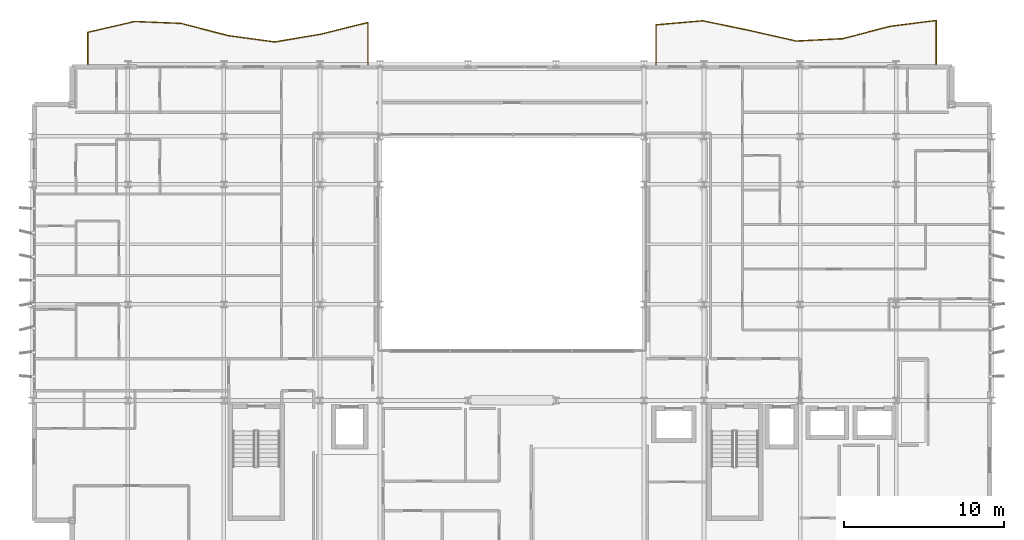
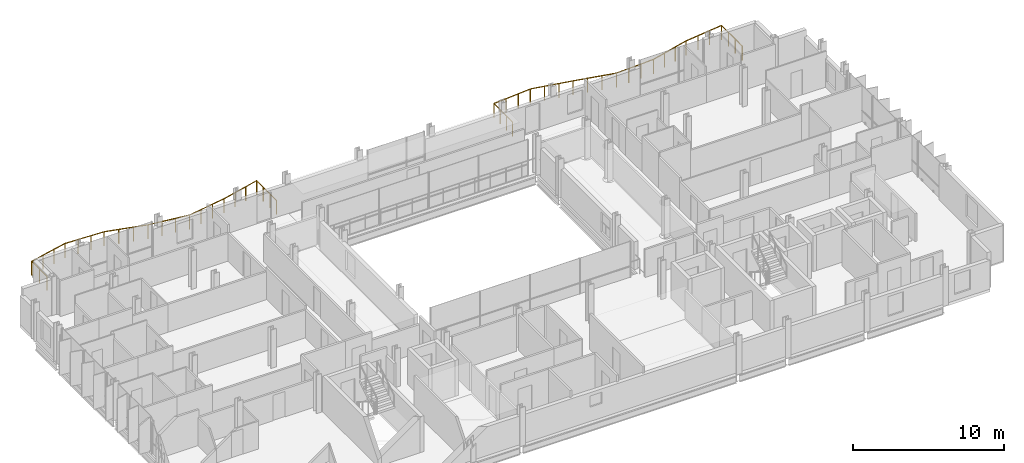
# One storey, part 40 of 40: 2 railings.
"""IFC4 building model written with IfcOpenShell, lengths in metres."""

from ifc_helpers import new_model, si_unit, direction, frame, origin, origin_2d, place, context, subcontext, project, spatial, circle, extrude, material, type_object, element, save


model = new_model("IFC4")

# Units and contexts
model_context = context("Model", 3, precision=1e-05, world=origin(), true_north=direction((0.0, 1.0)))
body_context = subcontext(model_context, "Body", "Model", "MODEL_VIEW")
ifc_project = project(units=[si_unit("LENGTHUNIT", "METRE"), si_unit("AREAUNIT", "SQUARE_METRE"), si_unit("VOLUMEUNIT", "CUBIC_METRE"), si_unit("PLANEANGLEUNIT", "RADIAN"), si_unit("MASSUNIT", "GRAM", prefix="KILO")], contexts=[model_context])

# Site, building, storey
site_placement = place(None, origin())
site = spatial("IfcSite", under=ifc_project, at=site_placement, CompositionType="ELEMENT")
building_placement = place(site_placement, origin())
building = spatial("IfcBuilding", under=site, at=building_placement, Name="Brevholm Reach", CompositionType="ELEMENT")
storey_placement = place(building_placement, frame((0.0, 0.0, 148.0)))
storey = spatial("IfcBuildingStorey", under=building, at=storey_placement, Name="L44", CompositionType="ELEMENT", Elevation=148.0)

# Railings
ifc_material = material(Name="Brushed Stainless Steel EN 1.4401 and Laminated Glass", Category="steel")
railing_type = type_object("IfcRailingType", Name="RAL-BALC-1150", PredefinedType="BALUSTRADE", material=ifc_material)
railing_1_placement = place(storey_placement, frame((56.5, 31.0, 0.0)))
element("IfcRailing", 1, at=railing_1_placement, inside=storey, type_object=railing_type, Name="L44 Guard Balustrade RAL-L44-BAL-NE", PredefinedType="BALUSTRADE", context=body_context, shape_type="SweptSolid", body=[
    extrude(circle(Radius=0.02392578125, at=origin_2d()), frame((0.0, 0.0, 1.1259765625), z_axis=(0.0, 1.0, 0.0), x_axis=(-1.0, 0.0, 0.0)), (0.0, 0.0, 1.0), 2.746337890625),
    extrude(circle(Radius=0.02392578125, at=origin_2d()), frame((0.0, 2.746337890625, 1.1259765625), z_axis=(-0.991815212116, -0.12768157665, 0.0), x_axis=(0.12768157665, -0.991815212116, 0.0)), (0.0, 0.0, 1.0), 2.94091796875),
    extrude(circle(Radius=0.02392578125, at=origin_2d()), frame((-2.916748046875, 2.370849609375, 1.1259765625), z_axis=(-0.967306983138, -0.25360836022, 0.0), x_axis=(0.25360836022, -0.967306983138, 0.0)), (0.0, 0.0, 1.0), 3.01513671875),
    extrude(circle(Radius=0.02392578125, at=origin_2d()), frame((-5.833251953125, 1.606201171875, 1.1259765625), z_axis=(-0.998720239463, -0.050575520622, 0.0), x_axis=(0.050575520622, -0.998720239463, 0.0)), (0.0, 0.0, 1.0), 2.92041015625),
    extrude(circle(Radius=0.02392578125, at=origin_2d()), frame((-8.75, 1.45849609375, 1.1259765625), z_axis=(-0.975083925705, 0.221836286102, 0.0), x_axis=(-0.221836286102, -0.975083925705, 0.0)), (0.0, 0.0, 1.0), 2.9912109375),
    extrude(circle(Radius=0.02392578125, at=origin_2d()), frame((-11.666748046875, 2.1220703125, 1.1259765625), z_axis=(-0.979367411888, 0.202087784221, 0.0), x_axis=(-0.202087784221, -0.979367411888, 0.0)), (0.0, 0.0, 1.0), 2.97802734375),
    extrude(circle(Radius=0.02392578125, at=origin_2d()), frame((-14.583251953125, 2.723876953125, 1.1259765625), z_axis=(-0.996282713287, -0.086143805376, 0.0), x_axis=(0.086143805376, -0.996282713287, 0.0)), (0.0, 0.0, 1.0), 2.927734375),
    extrude(circle(Radius=0.02392578125, at=origin_2d()), frame((-17.5, 2.4716796875, 1.1259765625), z_axis=(0.0, -1.0, 0.0), x_axis=(1.0, 0.0, 0.0)), (0.0, 0.0, 1.0), 2.4716796875),
    extrude(circle(Radius=0.02099609375, at=origin_2d()), origin(), (0.0, 0.0, 1.0), 1.101806640625),
    extrude(circle(Radius=0.02099609375, at=origin_2d()), frame((0.0, 0.91552734375, 0.0)), (0.0, 0.0, 1.0), 1.101806640625),
    extrude(circle(Radius=0.02099609375, at=origin_2d()), frame((0.0, 1.830810546875, 0.0)), (0.0, 0.0, 1.0), 1.101806640625),
    extrude(circle(Radius=0.02099609375, at=origin_2d()), frame((0.0, 2.746337890625, 0.0)), (0.0, 0.0, 1.0), 1.101806640625),
    extrude(circle(Radius=0.02099609375, at=origin_2d()), frame((-0.97216796875, 2.62109375, 0.0)), (0.0, 0.0, 1.0), 1.101806640625),
    extrude(circle(Radius=0.02099609375, at=origin_2d()), frame((-1.944580078125, 2.49609375, 0.0)), (0.0, 0.0, 1.0), 1.101806640625),
    extrude(circle(Radius=0.02099609375, at=origin_2d()), frame((-2.916748046875, 2.370849609375, 0.0)), (0.0, 0.0, 1.0), 1.101806640625),
    extrude(circle(Radius=0.02099609375, at=origin_2d()), frame((-3.888916015625, 2.115966796875, 0.0)), (0.0, 0.0, 1.0), 1.101806640625),
    extrude(circle(Radius=0.02099609375, at=origin_2d()), frame((-4.861083984375, 1.861083984375, 0.0)), (0.0, 0.0, 1.0), 1.101806640625),
    extrude(circle(Radius=0.02099609375, at=origin_2d()), frame((-5.833251953125, 1.606201171875, 0.0)), (0.0, 0.0, 1.0), 1.101806640625),
    extrude(circle(Radius=0.02099609375, at=origin_2d()), frame((-6.805419921875, 1.556884765625, 0.0)), (0.0, 0.0, 1.0), 1.101806640625),
    extrude(circle(Radius=0.02099609375, at=origin_2d()), frame((-7.77783203125, 1.5078125, 0.0)), (0.0, 0.0, 1.0), 1.101806640625),
    extrude(circle(Radius=0.02099609375, at=origin_2d()), frame((-8.75, 1.45849609375, 0.0)), (0.0, 0.0, 1.0), 1.101806640625),
    extrude(circle(Radius=0.02099609375, at=origin_2d()), frame((-9.72216796875, 1.6796875, 0.0)), (0.0, 0.0, 1.0), 1.101806640625),
    extrude(circle(Radius=0.02099609375, at=origin_2d()), frame((-10.694580078125, 1.90087890625, 0.0)), (0.0, 0.0, 1.0), 1.101806640625),
    extrude(circle(Radius=0.02099609375, at=origin_2d()), frame((-11.666748046875, 2.1220703125, 0.0)), (0.0, 0.0, 1.0), 1.101806640625),
    extrude(circle(Radius=0.02099609375, at=origin_2d()), frame((-12.638916015625, 2.32275390625, 0.0)), (0.0, 0.0, 1.0), 1.101806640625),
    extrude(circle(Radius=0.02099609375, at=origin_2d()), frame((-13.611083984375, 2.523193359375, 0.0)), (0.0, 0.0, 1.0), 1.101806640625),
    extrude(circle(Radius=0.02099609375, at=origin_2d()), frame((-14.583251953125, 2.723876953125, 0.0)), (0.0, 0.0, 1.0), 1.101806640625),
    extrude(circle(Radius=0.02099609375, at=origin_2d()), frame((-15.555419921875, 2.639892578125, 0.0)), (0.0, 0.0, 1.0), 1.101806640625),
    extrude(circle(Radius=0.02099609375, at=origin_2d()), frame((-16.52783203125, 2.5556640625, 0.0)), (0.0, 0.0, 1.0), 1.101806640625),
    extrude(circle(Radius=0.02099609375, at=origin_2d()), frame((-17.5, 2.4716796875, 0.0)), (0.0, 0.0, 1.0), 1.101806640625),
    extrude(circle(Radius=0.02099609375, at=origin_2d()), frame((-17.5, 1.647705078125, 0.0)), (0.0, 0.0, 1.0), 1.101806640625),
    extrude(circle(Radius=0.02099609375, at=origin_2d()), frame((-17.5, 0.823974609375, 0.0)), (0.0, 0.0, 1.0), 1.101806640625),
    extrude(circle(Radius=0.02099609375, at=origin_2d()), frame((-17.5, 0.0, 0.0)), (0.0, 0.0, 1.0), 1.101806640625),
])
railing_2_placement = place(storey_placement, frame((21.0, 31.0, 0.0)))
element("IfcRailing", 2, at=railing_2_placement, inside=storey, type_object=railing_type, Name="L44 Guard Balustrade RAL-L44-BAL-NW", PredefinedType="BALUSTRADE", context=body_context, shape_type="SweptSolid", body=[
    extrude(circle(Radius=0.02392578125, at=origin_2d()), frame((0.0, 0.0, 1.1259765625), z_axis=(0.0, 1.0, 0.0), x_axis=(-1.0, 0.0, 0.0)), (0.0, 0.0, 1.0), 2.62109375),
    extrude(circle(Radius=0.02392578125, at=origin_2d()), frame((0.0, 2.62109375, 1.1259765625), z_axis=(-0.969908046993, -0.243471518618, 0.0), x_axis=(0.243471518618, -0.969908046993, 0.0)), (0.0, 0.0, 1.0), 3.00732421875),
    extrude(circle(Radius=0.02392578125, at=origin_2d()), frame((-2.916748046875, 1.888916015625, 1.1259765625), z_axis=(-0.986326897089, -0.164800643445, 0.0), x_axis=(0.164800643445, -0.986326897089, 0.0)), (0.0, 0.0, 1.0), 2.95703125),
    extrude(circle(Radius=0.02392578125, at=origin_2d()), frame((-5.833251953125, 1.401611328125, 1.1259765625), z_axis=(-0.990776091279, 0.135509176626, 0.0), x_axis=(-0.135509176626, -0.990776091279, 0.0)), (0.0, 0.0, 1.0), 2.94384765625),
    extrude(circle(Radius=0.02392578125, at=origin_2d()), frame((-8.75, 1.800537109375, 1.1259765625), z_axis=(-0.967688627029, 0.252148212601, 0.0), x_axis=(-0.252148212601, -0.967688627029, 0.0)), (0.0, 0.0, 1.0), 3.01416015625),
    extrude(circle(Radius=0.02392578125, at=origin_2d()), frame((-11.666748046875, 2.560546875, 1.1259765625), z_axis=(-0.999139150441, 0.041484431493, 0.0), x_axis=(-0.041484431493, -0.999139150441, 0.0)), (0.0, 0.0, 1.0), 2.9189453125),
    extrude(circle(Radius=0.02392578125, at=origin_2d()), frame((-14.583251953125, 2.681640625, 1.1259765625), z_axis=(-0.974086615793, -0.226175296912, 0.0), x_axis=(0.226175296912, -0.974086615793, 0.0)), (0.0, 0.0, 1.0), 2.994384765625),
    extrude(circle(Radius=0.02392578125, at=origin_2d()), frame((-17.5, 2.00439453125, 1.1259765625), z_axis=(0.0, -1.0, 0.0), x_axis=(1.0, 0.0, 0.0)), (0.0, 0.0, 1.0), 2.00439453125),
    extrude(circle(Radius=0.02099609375, at=origin_2d()), origin(), (0.0, 0.0, 1.0), 1.101806640625),
    extrude(circle(Radius=0.02099609375, at=origin_2d()), frame((0.0, 0.873779296875, 0.0)), (0.0, 0.0, 1.0), 1.101806640625),
    extrude(circle(Radius=0.02099609375, at=origin_2d()), frame((0.0, 1.747314453125, 0.0)), (0.0, 0.0, 1.0), 1.101806640625),
    extrude(circle(Radius=0.02099609375, at=origin_2d()), frame((0.0, 2.62109375, 0.0)), (0.0, 0.0, 1.0), 1.101806640625),
    extrude(circle(Radius=0.02099609375, at=origin_2d()), frame((-0.97216796875, 2.376953125, 0.0)), (0.0, 0.0, 1.0), 1.101806640625),
    extrude(circle(Radius=0.02099609375, at=origin_2d()), frame((-1.944580078125, 2.133056640625, 0.0)), (0.0, 0.0, 1.0), 1.101806640625),
    extrude(circle(Radius=0.02099609375, at=origin_2d()), frame((-2.916748046875, 1.888916015625, 0.0)), (0.0, 0.0, 1.0), 1.101806640625),
    extrude(circle(Radius=0.02099609375, at=origin_2d()), frame((-3.888916015625, 1.7265625, 0.0)), (0.0, 0.0, 1.0), 1.101806640625),
    extrude(circle(Radius=0.02099609375, at=origin_2d()), frame((-4.861083984375, 1.56396484375, 0.0)), (0.0, 0.0, 1.0), 1.101806640625),
    extrude(circle(Radius=0.02099609375, at=origin_2d()), frame((-5.833251953125, 1.401611328125, 0.0)), (0.0, 0.0, 1.0), 1.101806640625),
    extrude(circle(Radius=0.02099609375, at=origin_2d()), frame((-6.805419921875, 1.53466796875, 0.0)), (0.0, 0.0, 1.0), 1.101806640625),
    extrude(circle(Radius=0.02099609375, at=origin_2d()), frame((-7.77783203125, 1.66748046875, 0.0)), (0.0, 0.0, 1.0), 1.101806640625),
    extrude(circle(Radius=0.02099609375, at=origin_2d()), frame((-8.75, 1.800537109375, 0.0)), (0.0, 0.0, 1.0), 1.101806640625),
    extrude(circle(Radius=0.02099609375, at=origin_2d()), frame((-9.72216796875, 2.053955078125, 0.0)), (0.0, 0.0, 1.0), 1.101806640625),
    extrude(circle(Radius=0.02099609375, at=origin_2d()), frame((-10.694580078125, 2.30712890625, 0.0)), (0.0, 0.0, 1.0), 1.101806640625),
    extrude(circle(Radius=0.02099609375, at=origin_2d()), frame((-11.666748046875, 2.560546875, 0.0)), (0.0, 0.0, 1.0), 1.101806640625),
    extrude(circle(Radius=0.02099609375, at=origin_2d()), frame((-12.638916015625, 2.600830078125, 0.0)), (0.0, 0.0, 1.0), 1.101806640625),
    extrude(circle(Radius=0.02099609375, at=origin_2d()), frame((-13.611083984375, 2.641357421875, 0.0)), (0.0, 0.0, 1.0), 1.101806640625),
    extrude(circle(Radius=0.02099609375, at=origin_2d()), frame((-14.583251953125, 2.681640625, 0.0)), (0.0, 0.0, 1.0), 1.101806640625),
    extrude(circle(Radius=0.02099609375, at=origin_2d()), frame((-15.555419921875, 2.455810546875, 0.0)), (0.0, 0.0, 1.0), 1.101806640625),
    extrude(circle(Radius=0.02099609375, at=origin_2d()), frame((-16.52783203125, 2.230224609375, 0.0)), (0.0, 0.0, 1.0), 1.101806640625),
    extrude(circle(Radius=0.02099609375, at=origin_2d()), frame((-17.5, 2.00439453125, 0.0)), (0.0, 0.0, 1.0), 1.101806640625),
    extrude(circle(Radius=0.02099609375, at=origin_2d()), frame((-17.5, 1.002197265625, 0.0)), (0.0, 0.0, 1.0), 1.101806640625),
    extrude(circle(Radius=0.02099609375, at=origin_2d()), frame((-17.5, 0.0, 0.0)), (0.0, 0.0, 1.0), 1.101806640625),
])

save(model, "model.ifc")
